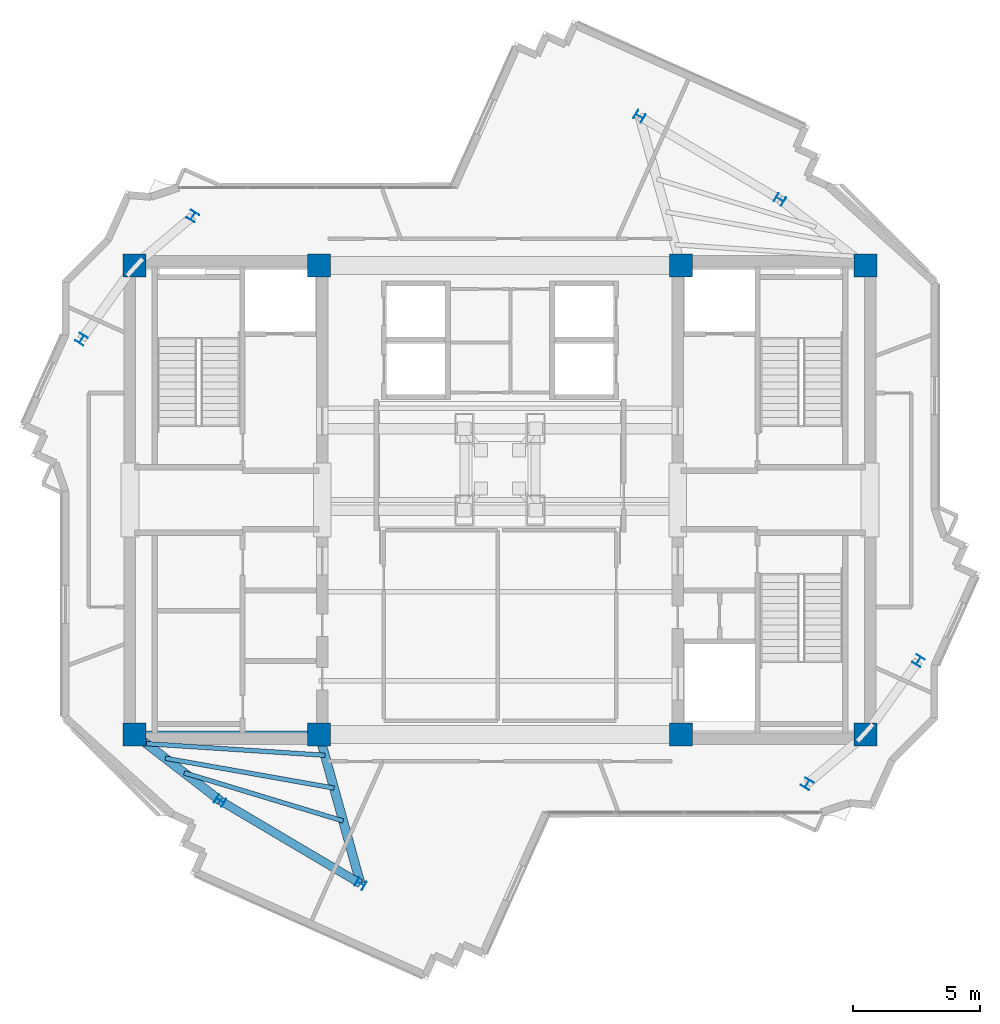
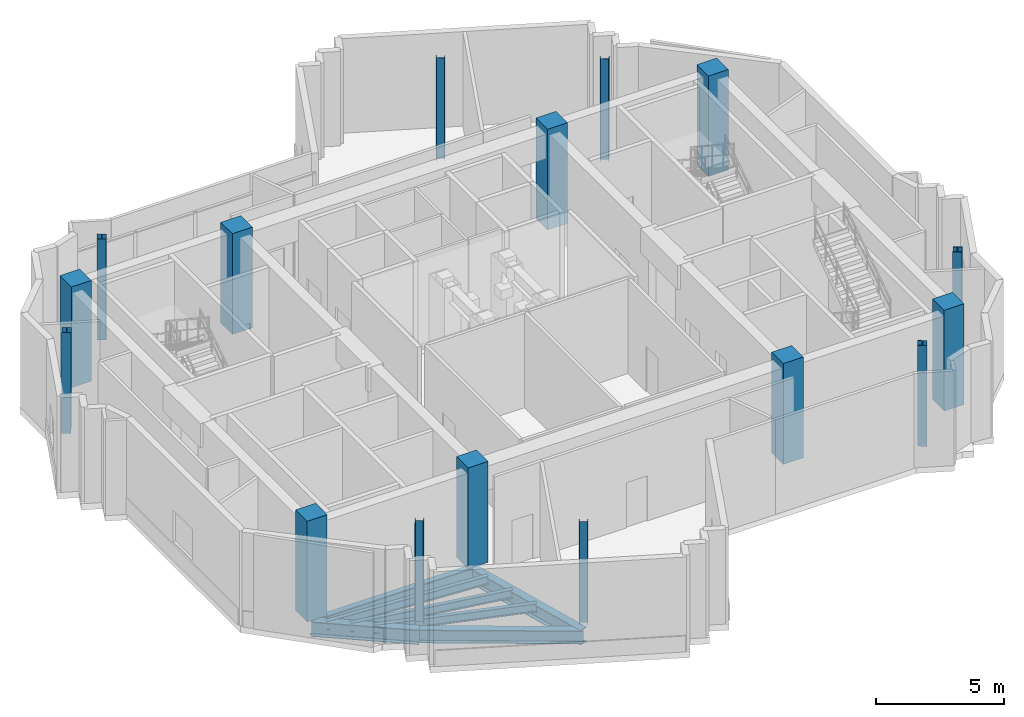
# One storey, part 1 of 11: 16 columns, 7 beams.
"""IFC4 building model written with IfcOpenShell, lengths in metres."""

import ifcopenshell
import ifcopenshell.guid

model = None  # the IFC model being written
_history = None  # IfcOwnerHistory: only IFC2X3 demands one
_inside = {}  # id of a spatial element -> (the spatial element, [elements in it])
_under = {}  # id of a project, library or spatial element -> (it, [spatial elements below it])
_declared = {}  # id of a project -> (the project, [libraries it declares])
_typed = {}  # id of a type object -> (the type object, [elements of that type])
_made_of = {}  # id of a material, layer set ... -> (it, [elements and type objects made of it])


def new_model(schema):
    """Start an empty IFC model of exactly this schema.

    Asked for "IFC4X3", IfcOpenShell would pick the latest addendum, in which some entities
    have other attributes; the version numbers below select the first issue.
    IFC2X3 requires an IfcOwnerHistory on every rooted entity: one is made here for all.
    """
    global model, _history
    if schema == "IFC4X3":
        model = ifcopenshell.file(schema_version=(4, 3, 0, 0))
    else:
        model = ifcopenshell.file(schema=schema)
    _inside.clear()
    _under.clear()
    _declared.clear()
    _typed.clear()
    _made_of.clear()
    _history = None
    if model.schema == "IFC2X3":
        org = make("IfcOrganization", Name="unknown")
        user = make(
            "IfcPersonAndOrganization",
            ThePerson=make("IfcPerson", FamilyName="unknown"),
            TheOrganization=org,
        )
        app = make(
            "IfcApplication",
            ApplicationDeveloper=org,
            Version="unknown",
            ApplicationFullName="unknown",
            ApplicationIdentifier="unknown",
        )
        _history = make(
            "IfcOwnerHistory",
            OwningUser=user,
            OwningApplication=app,
            ChangeAction="ADDED",
            CreationDate=0,
        )
    return model


def make(cls, **values):
    """One entity of the class cls with the attributes given. An attribute that is None is left unset."""
    return model.create_entity(
        cls, **{name: value for name, value in values.items() if value is not None}
    )


def rooted(cls, **values):
    """An entity with a GlobalId (a new one), such as an element, a storey or a relation."""
    return make(cls, GlobalId=ifcopenshell.guid.new(), OwnerHistory=_history, **values)


def si_unit(unit_type, name, prefix=None):
    """IfcSIUnit, for example si_unit("LENGTHUNIT", "METRE", prefix="MILLI")."""
    return make("IfcSIUnit", UnitType=unit_type, Prefix=prefix, Name=name)


def assignment(units):
    """IfcUnitAssignment: the units of a project."""
    return None if units is None else make("IfcUnitAssignment", Units=units)


def point(xyz):
    """IfcCartesianPoint."""
    return None if xyz is None else make("IfcCartesianPoint", Coordinates=xyz)


def direction(xyz):
    """IfcDirection."""
    return None if xyz is None else make("IfcDirection", DirectionRatios=xyz)


def frame(location, z_axis=None, x_axis=None):
    """IfcAxis2Placement3D, a coordinate frame: its origin and axes. An axis left out is left unset."""
    return make(
        "IfcAxis2Placement3D",
        Location=point(location),
        Axis=direction(z_axis),
        RefDirection=direction(x_axis),
    )


def frame_2d(location, x_axis=None):
    """IfcAxis2Placement2D, a coordinate frame in the plane: its origin and x axis."""
    return make(
        "IfcAxis2Placement2D", Location=point(location), RefDirection=direction(x_axis)
    )


def origin():
    """The frame at (0, 0, 0) with its axes left unset."""
    return frame((0.0, 0.0, 0.0))


def origin_2d():
    """The frame at (0, 0) in the plane with its x axis left unset."""
    return frame_2d((0.0, 0.0))


def place(relative_to, where):
    """IfcLocalPlacement: puts the frame where relative to a parent placement (None: the world)."""
    return make(
        "IfcLocalPlacement", PlacementRelTo=relative_to, RelativePlacement=where
    )


def context(
    kind, dimensions, precision=None, world=None, true_north=None, identifier=None
):
    """IfcGeometricRepresentationContext, for example the 3D "Model" context."""
    return make(
        "IfcGeometricRepresentationContext",
        ContextIdentifier=identifier,
        ContextType=kind,
        CoordinateSpaceDimension=dimensions,
        Precision=precision,
        WorldCoordinateSystem=world,
        TrueNorth=true_north,
    )


def subcontext(parent, identifier, kind, view, scale=None):
    """IfcGeometricRepresentationSubContext, for example "Body" below "Model"."""
    return make(
        "IfcGeometricRepresentationSubContext",
        ContextIdentifier=identifier,
        ContextType=kind,
        ParentContext=parent,
        TargetScale=scale,
        TargetView=view,
    )


def project(units=None, contexts=None):
    """IfcProject with its units and contexts."""
    return rooted(
        "IfcProject",
        Name="project",
        RepresentationContexts=contexts,
        UnitsInContext=assignment(units),
    )


def spatial(cls, under=None, at=None, **own):
    """A site, building, storey or space (cls), placed at a placement, below another one or the project."""
    s = rooted(cls, ObjectPlacement=at, **own)
    if under is not None:
        _under.setdefault(under.id(), (under, []))[1].append(s)
    return s


def profile(cls, at=None, kind="AREA", **sizes):
    """A parametric profile (cls). Its sizes go by their IFC names, for example OverallWidth=200.0."""
    return make(cls, ProfileType=kind, Position=at, **sizes)


def rectangle(**sizes):
    """IfcRectangleProfileDef."""
    return profile("IfcRectangleProfileDef", **sizes)


def i_section(**sizes):
    """IfcIShapeProfileDef."""
    return profile("IfcIShapeProfileDef", **sizes)


def extrude(swept, where, along, depth):
    """IfcExtrudedAreaSolid: the profile swept, set in the frame where, extruded along a direction by depth."""
    return make(
        "IfcExtrudedAreaSolid",
        SweptArea=swept,
        Position=where,
        ExtrudedDirection=direction(along),
        Depth=depth,
    )


def shape(context_of_items, identifier, shape_type, items):
    """IfcShapeRepresentation: the items that make up one representation, for example the "Body"."""
    return make(
        "IfcShapeRepresentation",
        ContextOfItems=context_of_items,
        RepresentationIdentifier=identifier,
        RepresentationType=shape_type,
        Items=items,
    )


def source(mapping_origin, context_of_items, identifier, shape_type, items):
    """IfcRepresentationMap: a shape defined once, which mapped items show again and again."""
    return make(
        "IfcRepresentationMap",
        MappingOrigin=mapping_origin,
        MappedRepresentation=shape(context_of_items, identifier, shape_type, items),
    )


def transform(
    local_origin,
    x_axis=None,
    y_axis=None,
    z_axis=None,
    scale=None,
    scale2=None,
    scale3=None,
    uniform=True,
):
    """IfcCartesianTransformationOperator3D, or its non-uniform kind. x_axis, y_axis, z_axis: its Axis1, 2, 3."""
    if uniform:
        return make(
            "IfcCartesianTransformationOperator3D",
            Axis1=direction(x_axis),
            Axis2=direction(y_axis),
            LocalOrigin=point(local_origin),
            Scale=scale,
            Axis3=direction(z_axis),
        )
    return make(
        "IfcCartesianTransformationOperator3DnonUniform",
        Axis1=direction(x_axis),
        Axis2=direction(y_axis),
        LocalOrigin=point(local_origin),
        Scale=scale,
        Axis3=direction(z_axis),
        Scale2=scale2,
        Scale3=scale3,
    )


def mapped(mapping_source, mapping_target):
    """IfcMappedItem: shows the shape of a source again, moved by a transform."""
    return make(
        "IfcMappedItem", MappingSource=mapping_source, MappingTarget=mapping_target
    )


def material(Name=None, Category=None):
    """IfcMaterial."""
    return make("IfcMaterial", Name=Name, Category=Category)


def material_profile(
    of_material, cross_section, Name=None, Category=None, Priority=None
):
    """IfcMaterialProfile: a cross section and its material."""
    return make(
        "IfcMaterialProfile",
        Name=Name,
        Material=of_material,
        Profile=cross_section,
        Priority=Priority,
        Category=Category,
    )


def profile_set(profiles, Name=None, composite=None):
    """IfcMaterialProfileSet."""
    return make(
        "IfcMaterialProfileSet",
        Name=Name,
        MaterialProfiles=profiles,
        CompositeProfile=composite,
    )


def made_of(thing, what):
    """Note that an element or type object is made of a material, layer set ...; save() writes the relation."""
    if what is not None:
        _made_of.setdefault(what.id(), (what, []))[1].append(thing)
    return thing


def type_object(cls, material=None, **own):
    """A type object (cls), such as IfcWallType, which elements share."""
    return made_of(rooted(cls, **own), material)


def element(
    cls,
    number,
    at=None,
    inside=None,
    cuts=None,
    type_object=None,
    material=None,
    context=None,
    identifier="Body",
    shape_type=None,
    held_by="IfcProductDefinitionShape",
    body=None,
    shapes=None,
    **own,
):
    """One element of the class cls, such as IfcWall. Its Tag is "e" and its number.

    at: its placement. inside: the storey or other place that contains it. cuts: it is an
    opening in that element (IfcRelVoidsElement). A single representation is given by context,
    identifier, shape_type and body (its items); several are given by shapes. held_by: the class
    of the entity that holds the representations. save() writes the other relations.
    """
    e = rooted(cls, Tag="e%d" % number, ObjectPlacement=at, **own)
    if body is not None:
        shapes = [shape(context, identifier, shape_type, body)]
    if shapes is not None:
        e.Representation = make(held_by, Representations=shapes)
    if inside is not None:
        _inside.setdefault(inside.id(), (inside, []))[1].append(e)
    if cuts is not None:
        rooted(
            "IfcRelVoidsElement", RelatingBuildingElement=cuts, RelatedOpeningElement=e
        )
    if type_object is not None:
        _typed.setdefault(type_object.id(), (type_object, []))[1].append(e)
    return made_of(e, material)


def aggregate(whole, parts):
    """IfcRelAggregates: a whole, such as a stair, and the parts it consists of."""
    return rooted("IfcRelAggregates", RelatingObject=whole, RelatedObjects=parts)


def save(model, path):
    """Write the relations noted so far, then the file.

    IfcRelAggregates (storeys below a building ...), IfcRelContainedInSpatialStructure (elements
    in a storey), IfcRelDefinesByType, IfcRelAssociatesMaterial and IfcRelDeclares: one each for
    every whole, place, type object, material and project.
    """
    for whole, parts in _under.values():
        aggregate(whole, parts)
    for where, things in _inside.values():
        rooted(
            "IfcRelContainedInSpatialStructure",
            RelatedElements=things,
            RelatingStructure=where,
        )
    for kind, things in _typed.values():
        rooted("IfcRelDefinesByType", RelatedObjects=things, RelatingType=kind)
    for what, things in _made_of.values():
        rooted("IfcRelAssociatesMaterial", RelatedObjects=things, RelatingMaterial=what)
    for by, libraries in _declared.values():
        rooted("IfcRelDeclares", RelatingContext=by, RelatedDefinitions=libraries)
    model.write(path)


model = new_model("IFC4")

# Units and contexts
model_context = context("Model", 3, precision=1e-05, world=origin(), true_north=direction((0.0, 1.0)))
body_context = subcontext(model_context, "Body", "Model", "MODEL_VIEW")
ifc_project = project(units=[si_unit("LENGTHUNIT", "METRE"), si_unit("AREAUNIT", "SQUARE_METRE"), si_unit("VOLUMEUNIT", "CUBIC_METRE"), si_unit("PLANEANGLEUNIT", "RADIAN"), si_unit("MASSUNIT", "GRAM", prefix="KILO")], contexts=[model_context])

# Site, building, storey
site_placement = place(None, origin())
site = spatial("IfcSite", under=ifc_project, at=site_placement, CompositionType="ELEMENT")
building_placement = place(site_placement, origin())
building = spatial("IfcBuilding", under=site, at=building_placement, Name="Zahravan Cultural Tower", CompositionType="ELEMENT")
storey_placement = place(building_placement, frame((0.0, 0.0, 361.050048828125)))
storey = spatial("IfcBuildingStorey", under=building, at=storey_placement, Name="L88", CompositionType="ELEMENT", Elevation=361.050048828125)

# Columns
ifc_material_1 = material(Name="Concrete C50/60", Category="concrete")
ifc_material_profile_1 = material_profile(ifc_material_1, rectangle(XDim=0.89990234375, YDim=0.89990234375, at=origin_2d()), Name="RC900X900")
ifc_profile_set_1 = profile_set([ifc_material_profile_1], Name="Concrete C50/60")
column_type_1 = type_object("IfcColumnType", Name="COL-RC900", PredefinedType="COLUMN", material=ifc_profile_set_1)
shared_shape_1 = source(origin(), body_context, "Body", "SweptSolid", [
    extrude(rectangle(XDim=0.89990234375, YDim=0.89990234375, at=origin_2d()), origin(), (0.0, 0.0, 1.0), 4.800048828125),
])
for number, where, z_axis, x_axis, name in (
    (1, (21.64990234375, 17.800048828125, 0.0), (0.0, 0.0, 1.0), (1.0, 0.0, 0.0), "L88 Column CC-W1"),
    (2, (28.89990234375, 17.800048828125, 0.0), (0.0, 0.0, 1.0), (1.0, 0.0, 0.0), "L88 Column CC-W2"),
    (3, (21.64990234375, 36.199951171875, 0.0), (0.0, 0.0, 1.0), (1.0, 0.0, 0.0), "L88 Column CC-W3"),
    (4, (28.89990234375, 36.199951171875, 0.0), (0.0, 0.0, 1.0), (1.0, 0.0, 0.0), "L88 Column CC-W4"),
    (5, (43.10009765625, 17.800048828125, 0.0), (0.0, 0.0, 1.0), (1.0, 0.0, 0.0), "L88 Column CC-E1"),
    (6, (50.35009765625, 17.800048828125, 0.0), (0.0, 0.0, 1.0), (1.0, 0.0, 0.0), "L88 Column CC-E2"),
    (7, (43.10009765625, 36.199951171875, 0.0), (0.0, 0.0, 1.0), (1.0, 0.0, 0.0), "L88 Column CC-E3"),
    (8, (50.35009765625, 36.199951171875, 0.0), (0.0, 0.0, 1.0), (1.0, 0.0, 0.0), "L88 Column CC-E4"),
):
    element("IfcColumn", number, at=place(storey_placement, frame(where, z_axis=z_axis, x_axis=x_axis)), inside=storey, type_object=column_type_1, Name=name, PredefinedType="COLUMN", context=body_context, shape_type="MappedRepresentation", body=[
        mapped(shared_shape_1, transform((0.0, 0.0, 0.0), x_axis=(1.0, 0.0, 0.0), y_axis=(0.0, 1.0, 0.0), z_axis=(0.0, 0.0, 1.0), scale=1.0)),
    ])
ifc_material_2 = material(Name="Steel ASTM A992 Grade 50", Category="steel")
ifc_material_profile_2 = material_profile(ifc_material_2, i_section(OverallWidth=0.368896484375, OverallDepth=0.35595703125, WebThickness=0.01123046875, FlangeThickness=0.01806640625, FilletRadius=0.01806640625, at=origin_2d()), Name="W14X90")
ifc_profile_set_2 = profile_set([ifc_material_profile_2], Name="Steel ASTM A992 Grade 50")
column_type_2 = type_object("IfcColumnType", Name="COL-W14X90", PredefinedType="COLUMN", material=ifc_profile_set_2)
shared_shape_2 = source(origin(), body_context, "Body", "SweptSolid", [
    extrude(i_section(OverallWidth=0.368896484375, OverallDepth=0.35595703125, WebThickness=0.01123046875, FlangeThickness=0.01806640625, FilletRadius=0.01806640625, at=origin_2d()), origin(), (0.0, 0.0, 1.0), 4.800048828125),
])
for number, where, z_axis, x_axis, name in (
    (9, (46.98388671875, 38.7998046875, 0.0), (0.0, 0.0, 1.0), (0.522498564716, 0.852640164354, 0.0), "L88 Column Z4C-E1"),
    (10, (41.474853515625, 42.058349609375, 0.0), (0.0, 0.0, 1.0), (0.522498564716, 0.852640164354, 0.0), "L88 Column Z4C-E2"),
    (11, (23.944580078125, 38.140625, 0.0), (0.0, 0.0, 1.0), (-0.852640164354, 0.522498564716, 0.0), "L88 Column Z4C-N1"),
    (12, (19.577392578125, 33.310791015625, 0.0), (0.0, 0.0, 1.0), (-0.852640164354, 0.522498564716, 0.0), "L88 Column Z4C-N2"),
    (13, (25.01611328125, 15.2001953125, 0.0), (0.0, 0.0, 1.0), (0.522498564716, 0.852640164354, 0.0), "L88 Column Z4C-W1"),
    (14, (30.525146484375, 11.941650390625, 0.0), (0.0, 0.0, 1.0), (0.522498564716, 0.852640164354, 0.0), "L88 Column Z4C-W2"),
    (15, (48.055419921875, 15.859375, 0.0), (0.0, 0.0, 1.0), (-0.852640164354, 0.522498564716, 0.0), "L88 Column Z4C-S1"),
    (16, (52.422607421875, 20.689208984375, 0.0), (0.0, 0.0, 1.0), (-0.852640164354, 0.522498564716, 0.0), "L88 Column Z4C-S2"),
):
    element("IfcColumn", number, at=place(storey_placement, frame(where, z_axis=z_axis, x_axis=x_axis)), inside=storey, type_object=column_type_2, Name=name, PredefinedType="COLUMN", context=body_context, shape_type="MappedRepresentation", body=[
        mapped(shared_shape_2, transform((0.0, 0.0, 0.0), x_axis=(1.0, 0.0, 0.0), y_axis=(0.0, 1.0, 0.0), z_axis=(0.0, 0.0, 1.0), scale=1.0)),
    ])

# Beams
ifc_material_profile_3 = material_profile(ifc_material_2, i_section(OverallWidth=0.26611328125, OverallDepth=0.780029296875, WebThickness=0.0166015625, FlangeThickness=0.030029296875, FilletRadius=0.01904296875, at=origin_2d()), Name="W30X148")
ifc_profile_set_3 = profile_set([ifc_material_profile_3], Name="Steel ASTM A992 Grade 50")
beam_type_1 = type_object("IfcBeamType", Name="BM-G-W30X148", PredefinedType="BEAM", material=ifc_profile_set_3)
shared_shape_3 = source(origin(), body_context, "Body", "SweptSolid", [
    extrude(i_section(OverallWidth=0.26611328125, OverallDepth=0.780029296875, WebThickness=0.0166015625, FlangeThickness=0.030029296875, FilletRadius=0.01904296875, at=origin_2d()), origin(), (0.0, 0.0, 1.0), 7.25),
])
beam_1_placement = place(storey_placement, frame((21.64990234375, 17.800048828125, -0.68994140625), z_axis=(1.0, 0.0, 0.0), x_axis=(0.0, 1.0, 0.0)))
element("IfcBeam", 17, at=beam_1_placement, inside=storey, type_object=beam_type_1, Name="L88 Beam BG-L88-01", PredefinedType="BEAM", context=body_context, shape_type="MappedRepresentation", body=[
    mapped(shared_shape_3, transform((0.0, 0.0, 0.0), x_axis=(1.0, 0.0, 0.0), y_axis=(0.0, 1.0, 0.0), z_axis=(0.0, 0.0, 1.0), scale=1.0)),
])
ifc_material_profile_4 = material_profile(ifc_material_2, i_section(OverallWidth=0.35498046875, OverallDepth=0.696044921875, WebThickness=0.015380859375, FlangeThickness=0.025146484375, FilletRadius=0.01806640625, at=origin_2d()), Name="W27X146")
ifc_profile_set_4 = profile_set([ifc_material_profile_4], Name="Steel ASTM A992 Grade 50")
beam_type_2 = type_object("IfcBeamType", Name="BM-G-W27X146", PredefinedType="BEAM", material=ifc_profile_set_4)
shared_shape_4 = source(origin(), body_context, "Body", "SweptSolid", [
    extrude(i_section(OverallWidth=0.35498046875, OverallDepth=0.696044921875, WebThickness=0.015380859375, FlangeThickness=0.025146484375, FilletRadius=0.01806640625, at=origin_2d()), origin(), (0.0, 0.0, 1.0), 4.25341796875),
])
beam_2_placement = place(storey_placement, frame((21.64990234375, 17.800048828125, -0.64794921875), z_axis=(0.791433936253, -0.611254713313, 0.0), x_axis=(0.611254713313, 0.791433936253, 0.0)))
element("IfcBeam", 18, at=beam_2_placement, inside=storey, type_object=beam_type_2, Name="L88 Beam BG-L88-07", PredefinedType="BEAM", context=body_context, shape_type="MappedRepresentation", body=[
    mapped(shared_shape_4, transform((0.0, 0.0, 0.0), x_axis=(1.0, 0.0, 0.0), y_axis=(0.0, 1.0, 0.0), z_axis=(0.0, 0.0, 1.0), scale=1.0)),
])
shared_shape_5 = source(origin(), body_context, "Body", "SweptSolid", [
    extrude(i_section(OverallWidth=0.35498046875, OverallDepth=0.696044921875, WebThickness=0.015380859375, FlangeThickness=0.025146484375, FilletRadius=0.01806640625, at=origin_2d()), origin(), (0.0, 0.0, 1.0), 6.07958984375),
])
beam_3_placement = place(storey_placement, frame((28.89990234375, 17.800048828125, -0.64794921875), z_axis=(0.267324894686, -0.963606455292, 0.0), x_axis=(0.963606455292, 0.267324894686, 0.0)))
element("IfcBeam", 19, at=beam_3_placement, inside=storey, type_object=beam_type_2, Name="L88 Beam BG-L88-08", PredefinedType="BEAM", context=body_context, shape_type="MappedRepresentation", body=[
    mapped(shared_shape_5, transform((0.0, 0.0, 0.0), x_axis=(1.0, 0.0, 0.0), y_axis=(0.0, 1.0, 0.0), z_axis=(0.0, 0.0, 1.0), scale=1.0)),
])
ifc_material_profile_5 = material_profile(ifc_material_2, i_section(OverallWidth=0.326904296875, OverallDepth=0.6220703125, WebThickness=0.015380859375, FlangeThickness=0.0244140625, FilletRadius=0.014892578125, at=origin_2d()), Name="W24X131")
ifc_profile_set_5 = profile_set([ifc_material_profile_5], Name="Steel ASTM A992 Grade 50")
beam_type_3 = type_object("IfcBeamType", Name="BM-SP-W24X131", PredefinedType="SPANDREL", material=ifc_profile_set_5)
shared_shape_6 = source(origin(), body_context, "Body", "SweptSolid", [
    extrude(i_section(OverallWidth=0.326904296875, OverallDepth=0.6220703125, WebThickness=0.015380859375, FlangeThickness=0.0244140625, FilletRadius=0.014892578125, at=origin_2d()), origin(), (0.0, 0.0, 1.0), 6.400634765625),
])
beam_4_placement = place(storey_placement, frame((25.01611328125, 15.2001953125, -0.611083984375), z_axis=(0.860706991833, -0.509100652337, 0.0), x_axis=(0.509100652337, 0.860706991833, 0.0)))
element("IfcBeam", 20, at=beam_4_placement, inside=storey, type_object=beam_type_3, Name="L88 Beam SP-L88-15", PredefinedType="SPANDREL", context=body_context, shape_type="MappedRepresentation", body=[
    mapped(shared_shape_6, transform((0.0, 0.0, 0.0), x_axis=(1.0, 0.0, 0.0), y_axis=(0.0, 1.0, 0.0), z_axis=(0.0, 0.0, 1.0), scale=1.0)),
])
ifc_material_profile_6 = material_profile(ifc_material_2, i_section(OverallWidth=0.177978515625, OverallDepth=0.406005859375, WebThickness=0.0078125, FlangeThickness=0.0126953125, FilletRadius=0.011962890625, at=origin_2d()), Name="W16X40")
ifc_profile_set_6 = profile_set([ifc_material_profile_6], Name="Steel ASTM A992 Grade 50")
beam_type_4 = type_object("IfcBeamType", Name="BM-J-W16X40", PredefinedType="JOIST", material=ifc_profile_set_6)
shared_shape_7 = source(origin(), body_context, "Body", "SweptSolid", [
    extrude(i_section(OverallWidth=0.177978515625, OverallDepth=0.406005859375, WebThickness=0.0078125, FlangeThickness=0.0126953125, FilletRadius=0.011962890625, at=origin_2d()), origin(), (0.0, 0.0, 1.0), 7.02099609375),
])
beam_5_placement = place(storey_placement, frame((22.121337890625, 17.43603515625, -0.5029296875), z_axis=(0.99788584579, -0.064991066863, 0.0), x_axis=(0.064991066863, 0.99788584579, 0.0)))
element("IfcBeam", 21, at=beam_5_placement, inside=storey, type_object=beam_type_4, Name="L88 Beam BJ-L88-24", PredefinedType="JOIST", context=body_context, shape_type="MappedRepresentation", body=[
    mapped(shared_shape_7, transform((0.0, 0.0, 0.0), x_axis=(1.0, 0.0, 0.0), y_axis=(0.0, 1.0, 0.0), z_axis=(0.0, 0.0, 1.0), scale=1.0)),
])
shared_shape_8 = source(origin(), body_context, "Body", "SweptSolid", [
    extrude(i_section(OverallWidth=0.177978515625, OverallDepth=0.406005859375, WebThickness=0.0078125, FlangeThickness=0.0126953125, FilletRadius=0.011962890625, at=origin_2d()), origin(), (0.0, 0.0, 1.0), 6.726318359375),
])
beam_6_placement = place(storey_placement, frame((22.86181640625, 16.864013671875, -0.5029296875), z_axis=(0.98467447748, -0.17440233198, 0.0), x_axis=(0.17440233198, 0.98467447748, 0.0)))
element("IfcBeam", 22, at=beam_6_placement, inside=storey, type_object=beam_type_4, Name="L88 Beam BJ-L88-26", PredefinedType="JOIST", context=body_context, shape_type="MappedRepresentation", body=[
    mapped(shared_shape_8, transform((0.0, 0.0, 0.0), x_axis=(1.0, 0.0, 0.0), y_axis=(0.0, 1.0, 0.0), z_axis=(0.0, 0.0, 1.0), scale=1.0)),
])
shared_shape_9 = source(origin(), body_context, "Body", "SweptSolid", [
    extrude(i_section(OverallWidth=0.177978515625, OverallDepth=0.406005859375, WebThickness=0.0078125, FlangeThickness=0.0126953125, FilletRadius=0.011962890625, at=origin_2d()), origin(), (0.0, 0.0, 1.0), 6.520263671875),
])
beam_7_placement = place(storey_placement, frame((23.602294921875, 16.292236328125, -0.5029296875), z_axis=(0.957060297679, -0.289888921151, 0.0), x_axis=(0.289888921151, 0.957060297679, 0.0)))
element("IfcBeam", 23, at=beam_7_placement, inside=storey, type_object=beam_type_4, Name="L88 Beam BJ-L88-28", PredefinedType="JOIST", context=body_context, shape_type="MappedRepresentation", body=[
    mapped(shared_shape_9, transform((0.0, 0.0, 0.0), x_axis=(1.0, 0.0, 0.0), y_axis=(0.0, 1.0, 0.0), z_axis=(0.0, 0.0, 1.0), scale=1.0)),
])

save(model, "model.ifc")
